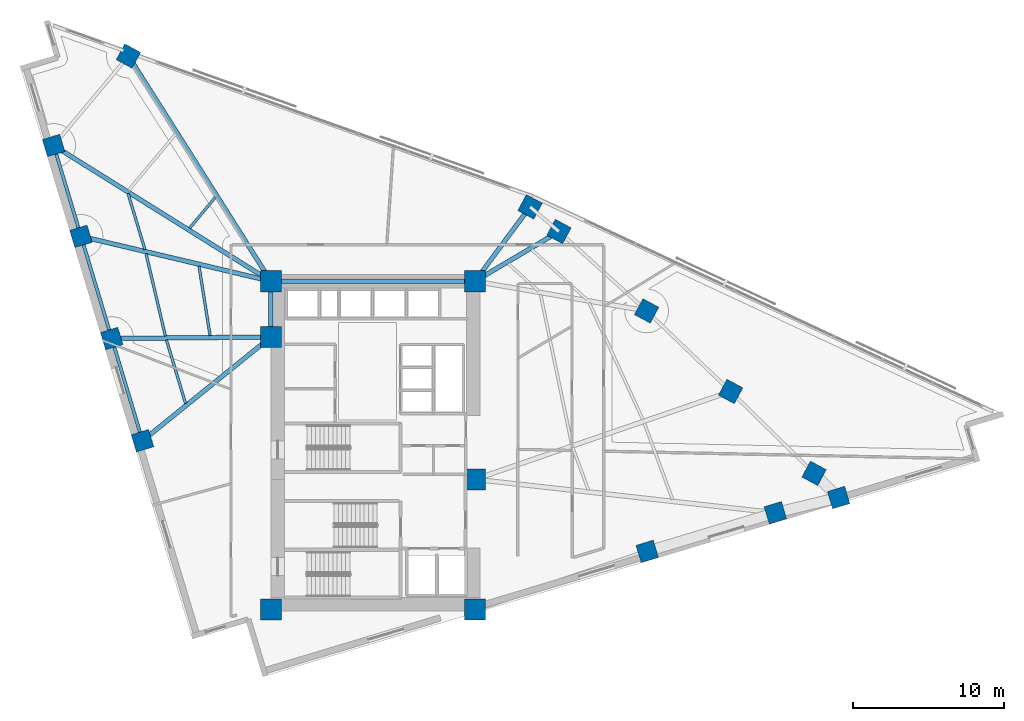
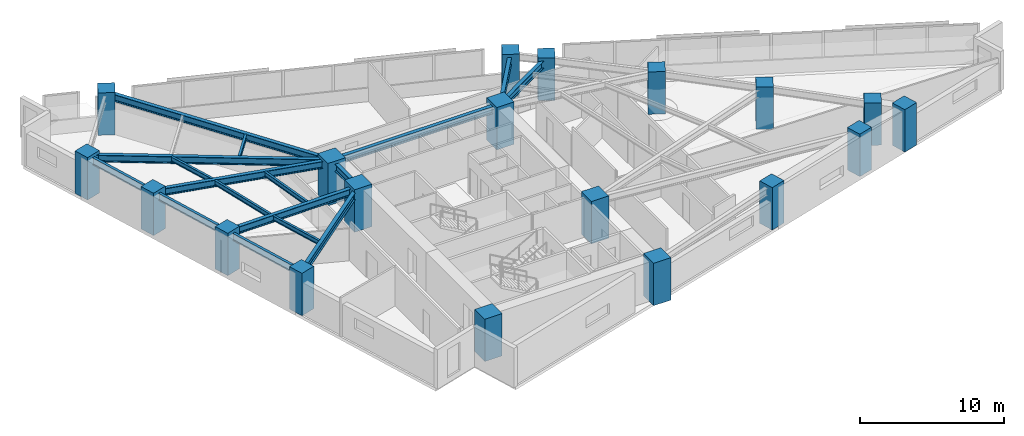
# One storey, part 1 of 16: 19 columns, 17 beams.
"""IFC4 building model written with IfcOpenShell, lengths in metres."""

import ifcopenshell
import ifcopenshell.guid

model = None  # the IFC model being written
_history = None  # IfcOwnerHistory: only IFC2X3 demands one
_inside = {}  # id of a spatial element -> (the spatial element, [elements in it])
_under = {}  # id of a project, library or spatial element -> (it, [spatial elements below it])
_declared = {}  # id of a project -> (the project, [libraries it declares])
_typed = {}  # id of a type object -> (the type object, [elements of that type])
_made_of = {}  # id of a material, layer set ... -> (it, [elements and type objects made of it])


def new_model(schema):
    """Start an empty IFC model of exactly this schema.

    Asked for "IFC4X3", IfcOpenShell would pick the latest addendum, in which some entities
    have other attributes; the version numbers below select the first issue.
    IFC2X3 requires an IfcOwnerHistory on every rooted entity: one is made here for all.
    """
    global model, _history
    if schema == "IFC4X3":
        model = ifcopenshell.file(schema_version=(4, 3, 0, 0))
    else:
        model = ifcopenshell.file(schema=schema)
    _inside.clear()
    _under.clear()
    _declared.clear()
    _typed.clear()
    _made_of.clear()
    _history = None
    if model.schema == "IFC2X3":
        org = make("IfcOrganization", Name="unknown")
        user = make(
            "IfcPersonAndOrganization",
            ThePerson=make("IfcPerson", FamilyName="unknown"),
            TheOrganization=org,
        )
        app = make(
            "IfcApplication",
            ApplicationDeveloper=org,
            Version="unknown",
            ApplicationFullName="unknown",
            ApplicationIdentifier="unknown",
        )
        _history = make(
            "IfcOwnerHistory",
            OwningUser=user,
            OwningApplication=app,
            ChangeAction="ADDED",
            CreationDate=0,
        )
    return model


def make(cls, **values):
    """One entity of the class cls with the attributes given. An attribute that is None is left unset."""
    return model.create_entity(
        cls, **{name: value for name, value in values.items() if value is not None}
    )


def rooted(cls, **values):
    """An entity with a GlobalId (a new one), such as an element, a storey or a relation."""
    return make(cls, GlobalId=ifcopenshell.guid.new(), OwnerHistory=_history, **values)


def si_unit(unit_type, name, prefix=None):
    """IfcSIUnit, for example si_unit("LENGTHUNIT", "METRE", prefix="MILLI")."""
    return make("IfcSIUnit", UnitType=unit_type, Prefix=prefix, Name=name)


def assignment(units):
    """IfcUnitAssignment: the units of a project."""
    return None if units is None else make("IfcUnitAssignment", Units=units)


def point(xyz):
    """IfcCartesianPoint."""
    return None if xyz is None else make("IfcCartesianPoint", Coordinates=xyz)


def direction(xyz):
    """IfcDirection."""
    return None if xyz is None else make("IfcDirection", DirectionRatios=xyz)


def frame(location, z_axis=None, x_axis=None):
    """IfcAxis2Placement3D, a coordinate frame: its origin and axes. An axis left out is left unset."""
    return make(
        "IfcAxis2Placement3D",
        Location=point(location),
        Axis=direction(z_axis),
        RefDirection=direction(x_axis),
    )


def frame_2d(location, x_axis=None):
    """IfcAxis2Placement2D, a coordinate frame in the plane: its origin and x axis."""
    return make(
        "IfcAxis2Placement2D", Location=point(location), RefDirection=direction(x_axis)
    )


def origin():
    """The frame at (0, 0, 0) with its axes left unset."""
    return frame((0.0, 0.0, 0.0))


def origin_2d():
    """The frame at (0, 0) in the plane with its x axis left unset."""
    return frame_2d((0.0, 0.0))


def place(relative_to, where):
    """IfcLocalPlacement: puts the frame where relative to a parent placement (None: the world)."""
    return make(
        "IfcLocalPlacement", PlacementRelTo=relative_to, RelativePlacement=where
    )


def context(
    kind, dimensions, precision=None, world=None, true_north=None, identifier=None
):
    """IfcGeometricRepresentationContext, for example the 3D "Model" context."""
    return make(
        "IfcGeometricRepresentationContext",
        ContextIdentifier=identifier,
        ContextType=kind,
        CoordinateSpaceDimension=dimensions,
        Precision=precision,
        WorldCoordinateSystem=world,
        TrueNorth=true_north,
    )


def subcontext(parent, identifier, kind, view, scale=None):
    """IfcGeometricRepresentationSubContext, for example "Body" below "Model"."""
    return make(
        "IfcGeometricRepresentationSubContext",
        ContextIdentifier=identifier,
        ContextType=kind,
        ParentContext=parent,
        TargetScale=scale,
        TargetView=view,
    )


def project(units=None, contexts=None):
    """IfcProject with its units and contexts."""
    return rooted(
        "IfcProject",
        Name="project",
        RepresentationContexts=contexts,
        UnitsInContext=assignment(units),
    )


def spatial(cls, under=None, at=None, **own):
    """A site, building, storey or space (cls), placed at a placement, below another one or the project."""
    s = rooted(cls, ObjectPlacement=at, **own)
    if under is not None:
        _under.setdefault(under.id(), (under, []))[1].append(s)
    return s


def profile(cls, at=None, kind="AREA", **sizes):
    """A parametric profile (cls). Its sizes go by their IFC names, for example OverallWidth=200.0."""
    return make(cls, ProfileType=kind, Position=at, **sizes)


def rectangle(**sizes):
    """IfcRectangleProfileDef."""
    return profile("IfcRectangleProfileDef", **sizes)


def i_section(**sizes):
    """IfcIShapeProfileDef."""
    return profile("IfcIShapeProfileDef", **sizes)


def extrude(swept, where, along, depth):
    """IfcExtrudedAreaSolid: the profile swept, set in the frame where, extruded along a direction by depth."""
    return make(
        "IfcExtrudedAreaSolid",
        SweptArea=swept,
        Position=where,
        ExtrudedDirection=direction(along),
        Depth=depth,
    )


def shape(context_of_items, identifier, shape_type, items):
    """IfcShapeRepresentation: the items that make up one representation, for example the "Body"."""
    return make(
        "IfcShapeRepresentation",
        ContextOfItems=context_of_items,
        RepresentationIdentifier=identifier,
        RepresentationType=shape_type,
        Items=items,
    )


def material(Name=None, Category=None):
    """IfcMaterial."""
    return make("IfcMaterial", Name=Name, Category=Category)


def material_profile(
    of_material, cross_section, Name=None, Category=None, Priority=None
):
    """IfcMaterialProfile: a cross section and its material."""
    return make(
        "IfcMaterialProfile",
        Name=Name,
        Material=of_material,
        Profile=cross_section,
        Priority=Priority,
        Category=Category,
    )


def profile_set(profiles, Name=None, composite=None):
    """IfcMaterialProfileSet."""
    return make(
        "IfcMaterialProfileSet",
        Name=Name,
        MaterialProfiles=profiles,
        CompositeProfile=composite,
    )


def made_of(thing, what):
    """Note that an element or type object is made of a material, layer set ...; save() writes the relation."""
    if what is not None:
        _made_of.setdefault(what.id(), (what, []))[1].append(thing)
    return thing


def type_object(cls, material=None, **own):
    """A type object (cls), such as IfcWallType, which elements share."""
    return made_of(rooted(cls, **own), material)


def element(
    cls,
    number,
    at=None,
    inside=None,
    cuts=None,
    type_object=None,
    material=None,
    context=None,
    identifier="Body",
    shape_type=None,
    held_by="IfcProductDefinitionShape",
    body=None,
    shapes=None,
    **own,
):
    """One element of the class cls, such as IfcWall. Its Tag is "e" and its number.

    at: its placement. inside: the storey or other place that contains it. cuts: it is an
    opening in that element (IfcRelVoidsElement). A single representation is given by context,
    identifier, shape_type and body (its items); several are given by shapes. held_by: the class
    of the entity that holds the representations. save() writes the other relations.
    """
    e = rooted(cls, Tag="e%d" % number, ObjectPlacement=at, **own)
    if body is not None:
        shapes = [shape(context, identifier, shape_type, body)]
    if shapes is not None:
        e.Representation = make(held_by, Representations=shapes)
    if inside is not None:
        _inside.setdefault(inside.id(), (inside, []))[1].append(e)
    if cuts is not None:
        rooted(
            "IfcRelVoidsElement", RelatingBuildingElement=cuts, RelatedOpeningElement=e
        )
    if type_object is not None:
        _typed.setdefault(type_object.id(), (type_object, []))[1].append(e)
    return made_of(e, material)


def aggregate(whole, parts):
    """IfcRelAggregates: a whole, such as a stair, and the parts it consists of."""
    return rooted("IfcRelAggregates", RelatingObject=whole, RelatedObjects=parts)


def save(model, path):
    """Write the relations noted so far, then the file.

    IfcRelAggregates (storeys below a building ...), IfcRelContainedInSpatialStructure (elements
    in a storey), IfcRelDefinesByType, IfcRelAssociatesMaterial and IfcRelDeclares: one each for
    every whole, place, type object, material and project.
    """
    for whole, parts in _under.values():
        aggregate(whole, parts)
    for where, things in _inside.values():
        rooted(
            "IfcRelContainedInSpatialStructure",
            RelatedElements=things,
            RelatingStructure=where,
        )
    for kind, things in _typed.values():
        rooted("IfcRelDefinesByType", RelatedObjects=things, RelatingType=kind)
    for what, things in _made_of.values():
        rooted("IfcRelAssociatesMaterial", RelatedObjects=things, RelatingMaterial=what)
    for by, libraries in _declared.values():
        rooted("IfcRelDeclares", RelatingContext=by, RelatedDefinitions=libraries)
    model.write(path)


model = new_model("IFC4")

# Units and contexts
model_context = context("Model", 3, precision=1e-05, world=origin(), true_north=direction((0.0, 1.0)))
body_context = subcontext(model_context, "Body", "Model", "MODEL_VIEW")
ifc_project = project(units=[si_unit("LENGTHUNIT", "METRE"), si_unit("AREAUNIT", "SQUARE_METRE"), si_unit("VOLUMEUNIT", "CUBIC_METRE"), si_unit("PLANEANGLEUNIT", "RADIAN"), si_unit("MASSUNIT", "GRAM", prefix="KILO")], contexts=[model_context])

# Site, building, storey
site_placement = place(None, origin())
site = spatial("IfcSite", under=ifc_project, at=site_placement, CompositionType="ELEMENT")
building_placement = place(site_placement, origin())
building = spatial("IfcBuilding", under=site, at=building_placement, Name="Narakoshi Arena Tower", CompositionType="ELEMENT")
storey_placement = place(building_placement, frame((0.0, 0.0, 153.89990234375)))
storey = spatial("IfcBuildingStorey", under=building, at=storey_placement, Name="L41", CompositionType="ELEMENT", Elevation=153.89990234375)

# Columns
ifc_material_1 = material(Name="Concrete C60/75", Category="concrete")
ifc_material_profile_1 = material_profile(ifc_material_1, rectangle(XDim=1.199951171875, YDim=1.199951171875, at=origin_2d()), Name="RC1200x1200")
ifc_profile_set_1 = profile_set([ifc_material_profile_1], Name="Concrete C60/75")
column_type_1 = type_object("IfcColumnType", Name="COL-RC1200", PredefinedType="COLUMN", material=ifc_profile_set_1)
for number, where, z_axis, x_axis, name in (
    (1, (96.984619140625, 38.565185546875, 0.0), (0.0, 0.0, 1.0), (0.957571360805, 0.288196268134, 0.0), "L41 Tower Perimeter Column TC02"),
    (2, (105.49365234375, 41.126220703125, 0.0), (0.0, 0.0, 1.0), (0.957571360805, 0.288196268134, 0.0), "L41 Tower Perimeter Column TC03"),
    (3, (109.692626953125, 42.13916015625, 0.0), (0.0, 0.0, 1.0), (0.957571360805, 0.288196268134, 0.0), "L41 Tower Perimeter Column TC04"),
    (4, (108.061279296875, 43.74560546875, 0.0), (0.0, 0.0, 1.0), (0.473319667185, 0.880890738205, 0.0), "L41 Tower Perimeter Column TC05"),
    (5, (102.522216796875, 49.17919921875, 0.0), (0.0, 0.0, 1.0), (0.473319667185, 0.880890738205, 0.0), "L41 Tower Perimeter Column TC06"),
    (6, (96.9443359375, 54.528076171875, 0.0), (0.0, 0.0, 1.0), (0.473319667185, 0.880890738205, 0.0), "L41 Tower Perimeter Column TC07"),
    (7, (91.12646484375, 59.798095703125, 0.0), (0.0, 0.0, 1.0), (0.473319667185, 0.880890738205, 0.0), "L41 Tower Perimeter Column TC08"),
    (8, (89.206787109375, 61.437744140625, 0.0), (0.0, 0.0, 1.0), (0.473319667185, 0.880890738205, 0.0), "L41 Tower Perimeter Column TC09"),
    (9, (62.545166015625, 71.4501953125, 0.0), (0.0, 0.0, 1.0), (0.473319667185, 0.880890738205, 0.0), "L41 Tower Perimeter Column TC11"),
    (10, (57.580810546875, 65.51220703125, 0.0), (0.0, 0.0, 1.0), (-0.288196268134, 0.957571360805, 0.0), "L41 Tower Perimeter Column TC13"),
    (11, (59.39599609375, 59.481201171875, 0.0), (0.0, 0.0, 1.0), (-0.288196268134, 0.957571360805, 0.0), "L41 Tower Perimeter Column TC14"),
    (12, (61.43798828125, 52.6962890625, 0.0), (0.0, 0.0, 1.0), (-0.288196268134, 0.957571360805, 0.0), "L41 Tower Perimeter Column TC15"),
    (13, (63.47998046875, 45.91162109375, 0.0), (0.0, 0.0, 1.0), (-0.288196268134, 0.957571360805, 0.0), "L41 Tower Perimeter Column TC16"),
):
    element("IfcColumn", number, at=place(storey_placement, frame(where, z_axis=z_axis, x_axis=x_axis)), inside=storey, type_object=column_type_1, Name=name, PredefinedType="COLUMN", context=body_context, shape_type="SweptSolid", body=[
        extrude(rectangle(XDim=1.199951171875, YDim=1.199951171875, at=origin_2d()), origin(), (0.0, 0.0, 1.0), 3.60009765625),
    ])
ifc_material_profile_2 = material_profile(ifc_material_1, rectangle(XDim=1.39990234375, YDim=1.39990234375, at=origin_2d()), Name="RC1400x1400")
ifc_profile_set_2 = profile_set([ifc_material_profile_2], Name="Concrete C60/75")
column_type_2 = type_object("IfcColumnType", Name="COL-RC1400", PredefinedType="COLUMN", material=ifc_profile_set_2)
for number, where, z_axis, x_axis, name in (
    (14, (72.0, 34.699951171875, 0.0), (0.0, 0.0, 1.0), (1.0, 0.0, 0.0), "L41 Core Structural Column CC1"),
    (15, (85.550048828125, 34.699951171875, 0.0), (0.0, 0.0, 1.0), (1.0, 0.0, 0.0), "L41 Core Structural Column CC2"),
    (16, (85.550048828125, 43.35009765625, 0.0), (0.0, 0.0, 1.0), (1.0, 0.0, 0.0), "L41 Core Structural Column CC3"),
    (17, (72.0, 52.800048828125, 0.0), (0.0, 0.0, 1.0), (1.0, 0.0, 0.0), "L41 Core Structural Column CC4"),
    (18, (72.0, 56.5, 0.0), (0.0, 0.0, 1.0), (1.0, 0.0, 0.0), "L41 Core Structural Column CC5"),
    (19, (85.550048828125, 56.5, 0.0), (0.0, 0.0, 1.0), (1.0, 0.0, 0.0), "L41 Core Structural Column CC6"),
):
    element("IfcColumn", number, at=place(storey_placement, frame(where, z_axis=z_axis, x_axis=x_axis)), inside=storey, type_object=column_type_2, Name=name, PredefinedType="COLUMN", context=body_context, shape_type="SweptSolid", body=[
        extrude(rectangle(XDim=1.39990234375, YDim=1.39990234375, at=origin_2d()), origin(), (0.0, 0.0, 1.0), 3.60009765625),
    ])

# Beams
ifc_material_2 = material(Name="Structural steel S355J2", Category="steel")
ifc_material_profile_3 = material_profile(ifc_material_2, i_section(OverallWidth=0.219970703125, OverallDepth=0.60009765625, WebThickness=0.011962890625, FlangeThickness=0.01904296875, FilletRadius=0.02392578125, at=origin_2d()), Name="IPE600")
ifc_profile_set_3 = profile_set([ifc_material_profile_3], Name="Structural steel S355J2")
beam_type_1 = type_object("IfcBeamType", Name="BM-EDGE-600", PredefinedType="BEAM", material=ifc_profile_set_3)
beam_1_placement = place(storey_placement, frame((57.580810546875, 65.51220703125, 3.0400390625), z_axis=(0.288204829742, -0.957568784011, 0.0), x_axis=(0.957568784011, 0.288204829742, 0.0)))
element("IfcBeam", 20, at=beam_1_placement, inside=storey, type_object=beam_type_1, Name="L41 Perimeter Edge Girder 10", PredefinedType="BEAM", context=body_context, shape_type="SweptSolid", body=[
    extrude(i_section(OverallWidth=0.219970703125, OverallDepth=0.60009765625, WebThickness=0.011962890625, FlangeThickness=0.01904296875, FilletRadius=0.02392578125, at=origin_2d()), origin(), (0.0, 0.0, 1.0), 6.29833984375),
])
beam_2_placement = place(storey_placement, frame((59.39599609375, 59.481201171875, 3.0400390625), z_axis=(0.28819179325, -0.957572707581, 0.0), x_axis=(0.957572707581, 0.28819179325, 0.0)))
element("IfcBeam", 21, at=beam_2_placement, inside=storey, type_object=beam_type_1, Name="L41 Perimeter Edge Girder 11", PredefinedType="BEAM", context=body_context, shape_type="SweptSolid", body=[
    extrude(i_section(OverallWidth=0.219970703125, OverallDepth=0.60009765625, WebThickness=0.011962890625, FlangeThickness=0.01904296875, FilletRadius=0.02392578125, at=origin_2d()), origin(), (0.0, 0.0, 1.0), 7.08544921875),
])
beam_3_placement = place(storey_placement, frame((61.43798828125, 52.6962890625, 3.0400390625), z_axis=(0.288201302245, -0.957569845695, 0.0), x_axis=(0.957569845695, 0.288201302245, 0.0)))
element("IfcBeam", 22, at=beam_3_placement, inside=storey, type_object=beam_type_1, Name="L41 Perimeter Edge Girder 12", PredefinedType="BEAM", context=body_context, shape_type="SweptSolid", body=[
    extrude(i_section(OverallWidth=0.219970703125, OverallDepth=0.60009765625, WebThickness=0.011962890625, FlangeThickness=0.01904296875, FilletRadius=0.02392578125, at=origin_2d()), origin(), (0.0, 0.0, 1.0), 7.085205078125),
])
ifc_material_profile_4 = material_profile(ifc_material_2, i_section(OverallWidth=0.300048828125, OverallDepth=0.60009765625, WebThickness=0.015380859375, FlangeThickness=0.030029296875, FilletRadius=0.027099609375, at=origin_2d()), Name="HE600B")
ifc_profile_set_4 = profile_set([ifc_material_profile_4], Name="Structural steel S355J2")
beam_type_2 = type_object("IfcBeamType", Name="BM-PRI-600", PredefinedType="BEAM", material=ifc_profile_set_4)
beam_4_placement = place(storey_placement, frame((85.550048828125, 56.5, 3.0400390625), z_axis=(0.860727657757, 0.509065712037, 0.0), x_axis=(-0.509065712037, 0.860727657757, 0.0)))
element("IfcBeam", 23, at=beam_4_placement, inside=storey, type_object=beam_type_2, Name="L41 Radial Primary Floor Girder 07", PredefinedType="BEAM", context=body_context, shape_type="SweptSolid", body=[
    extrude(i_section(OverallWidth=0.300048828125, OverallDepth=0.60009765625, WebThickness=0.015380859375, FlangeThickness=0.030029296875, FilletRadius=0.027099609375, at=origin_2d()), origin(), (0.0, 0.0, 1.0), 6.478759765625),
])
beam_5_placement = place(storey_placement, frame((85.550048828125, 56.5, 3.0400390625), z_axis=(0.595138224279, 0.803623353321, 0.0), x_axis=(-0.803623353321, 0.595138224279, 0.0)))
element("IfcBeam", 24, at=beam_5_placement, inside=storey, type_object=beam_type_2, Name="L41 Radial Primary Floor Girder 08", PredefinedType="BEAM", context=body_context, shape_type="SweptSolid", body=[
    extrude(i_section(OverallWidth=0.300048828125, OverallDepth=0.60009765625, WebThickness=0.015380859375, FlangeThickness=0.030029296875, FilletRadius=0.027099609375, at=origin_2d()), origin(), (0.0, 0.0, 1.0), 6.144287109375),
])
beam_6_placement = place(storey_placement, frame((72.0, 56.5, 3.0400390625), z_axis=(-0.534502303868, 0.845167017317, 0.0), x_axis=(-0.845167017317, -0.534502303868, 0.0)))
element("IfcBeam", 25, at=beam_6_placement, inside=storey, type_object=beam_type_2, Name="L41 Radial Primary Floor Girder 09", PredefinedType="BEAM", context=body_context, shape_type="SweptSolid", body=[
    extrude(i_section(OverallWidth=0.300048828125, OverallDepth=0.60009765625, WebThickness=0.015380859375, FlangeThickness=0.030029296875, FilletRadius=0.027099609375, at=origin_2d()), origin(), (0.0, 0.0, 1.0), 17.68896484375),
])
beam_7_placement = place(storey_placement, frame((72.0, 56.5, 3.0400390625), z_axis=(-0.847992657587, 0.530007974165, 0.0), x_axis=(-0.530007974165, -0.847992657587, 0.0)))
element("IfcBeam", 26, at=beam_7_placement, inside=storey, type_object=beam_type_2, Name="L41 Radial Primary Floor Girder 10", PredefinedType="BEAM", context=body_context, shape_type="SweptSolid", body=[
    extrude(i_section(OverallWidth=0.300048828125, OverallDepth=0.60009765625, WebThickness=0.015380859375, FlangeThickness=0.030029296875, FilletRadius=0.027099609375, at=origin_2d()), origin(), (0.0, 0.0, 1.0), 17.00390625),
])
beam_8_placement = place(storey_placement, frame((72.0, 56.5, 3.0400390625), z_axis=(-0.973148771856, 0.230177035857, 0.0), x_axis=(-0.230177035857, -0.973148771856, 0.0)))
element("IfcBeam", 27, at=beam_8_placement, inside=storey, type_object=beam_type_2, Name="L41 Radial Primary Floor Girder 11", PredefinedType="BEAM", context=body_context, shape_type="SweptSolid", body=[
    extrude(i_section(OverallWidth=0.300048828125, OverallDepth=0.60009765625, WebThickness=0.015380859375, FlangeThickness=0.030029296875, FilletRadius=0.027099609375, at=origin_2d()), origin(), (0.0, 0.0, 1.0), 12.95166015625),
])
beam_9_placement = place(storey_placement, frame((72.0, 52.800048828125, 3.0400390625), z_axis=(-0.999951749341, -0.009823389891, 0.0), x_axis=(0.009823389891, -0.999951749341, 0.0)))
element("IfcBeam", 28, at=beam_9_placement, inside=storey, type_object=beam_type_2, Name="L41 Radial Primary Floor Girder 12", PredefinedType="BEAM", context=body_context, shape_type="SweptSolid", body=[
    extrude(i_section(OverallWidth=0.300048828125, OverallDepth=0.60009765625, WebThickness=0.015380859375, FlangeThickness=0.030029296875, FilletRadius=0.027099609375, at=origin_2d()), origin(), (0.0, 0.0, 1.0), 10.5625),
])
beam_10_placement = place(storey_placement, frame((72.0, 52.800048828125, 3.0400390625), z_axis=(-0.777634431076, -0.628716702184, 0.0), x_axis=(0.628716702184, -0.777634431076, 0.0)))
element("IfcBeam", 29, at=beam_10_placement, inside=storey, type_object=beam_type_2, Name="L41 Radial Primary Floor Girder 13", PredefinedType="BEAM", context=body_context, shape_type="SweptSolid", body=[
    extrude(i_section(OverallWidth=0.300048828125, OverallDepth=0.60009765625, WebThickness=0.015380859375, FlangeThickness=0.030029296875, FilletRadius=0.027099609375, at=origin_2d()), origin(), (0.0, 0.0, 1.0), 10.956298828125),
])
beam_11_placement = place(storey_placement, frame((72.0, 52.800048828125, 3.0400390625), z_axis=(0.0, 1.0, 0.0), x_axis=(-1.0, 0.0, 0.0)))
element("IfcBeam", 30, at=beam_11_placement, inside=storey, type_object=beam_type_2, Name="L41 Core Perimeter Frame Beam CC4-CC5", PredefinedType="BEAM", context=body_context, shape_type="SweptSolid", body=[
    extrude(i_section(OverallWidth=0.300048828125, OverallDepth=0.60009765625, WebThickness=0.015380859375, FlangeThickness=0.030029296875, FilletRadius=0.027099609375, at=origin_2d()), origin(), (0.0, 0.0, 1.0), 3.699951171875),
])
beam_12_placement = place(storey_placement, frame((72.0, 56.5, 3.0400390625), z_axis=(1.0, 0.0, 0.0), x_axis=(0.0, 1.0, 0.0)))
element("IfcBeam", 31, at=beam_12_placement, inside=storey, type_object=beam_type_2, Name="L41 Core Perimeter Frame Beam CC5-CC6", PredefinedType="BEAM", context=body_context, shape_type="SweptSolid", body=[
    extrude(i_section(OverallWidth=0.300048828125, OverallDepth=0.60009765625, WebThickness=0.015380859375, FlangeThickness=0.030029296875, FilletRadius=0.027099609375, at=origin_2d()), origin(), (0.0, 0.0, 1.0), 13.550048828125),
])
ifc_material_profile_5 = material_profile(ifc_material_2, i_section(OverallWidth=0.179931640625, OverallDepth=0.39990234375, WebThickness=0.008544921875, FlangeThickness=0.013427734375, FilletRadius=0.02099609375, at=origin_2d()), Name="IPE400")
ifc_profile_set_5 = profile_set([ifc_material_profile_5], Name="Structural steel S355J2")
beam_type_3 = type_object("IfcBeamType", Name="BM-SEC-400", PredefinedType="JOIST", material=ifc_profile_set_5)
beam_13_placement = place(storey_placement, frame((68.320556640625, 62.077392578125, 3.14013671875), z_axis=(-0.64141534739, -0.767193816537, 0.0), x_axis=(0.767193816537, -0.64141534739, 0.0)))
element("IfcBeam", 32, at=beam_13_placement, inside=storey, type_object=beam_type_3, Name="L41 Composite Secondary Floor Joist 07", PredefinedType="JOIST", context=body_context, shape_type="SweptSolid", body=[
    extrude(i_section(OverallWidth=0.179931640625, OverallDepth=0.39990234375, WebThickness=0.008544921875, FlangeThickness=0.013427734375, FilletRadius=0.02099609375, at=origin_2d()), origin(), (0.0, 0.0, 1.0), 2.6708984375),
])
beam_14_placement = place(storey_placement, frame((62.522216796875, 62.318603515625, 3.14013671875), z_axis=(0.288258285881, -0.957552693391, 0.0), x_axis=(0.957552693391, 0.288258285881, 0.0)))
element("IfcBeam", 33, at=beam_14_placement, inside=storey, type_object=beam_type_3, Name="L41 Composite Secondary Floor Joist 09", PredefinedType="JOIST", context=body_context, shape_type="SweptSolid", body=[
    extrude(i_section(OverallWidth=0.179931640625, OverallDepth=0.39990234375, WebThickness=0.008544921875, FlangeThickness=0.013427734375, FilletRadius=0.02099609375, at=origin_2d()), origin(), (0.0, 0.0, 1.0), 3.88671875),
])
beam_15_placement = place(storey_placement, frame((67.231689453125, 57.49951171875, 3.14013671875), z_axis=(0.157263582495, -0.987556664511, 0.0), x_axis=(0.987556664511, 0.157263582495, 0.0)))
element("IfcBeam", 34, at=beam_15_placement, inside=storey, type_object=beam_type_3, Name="L41 Composite Secondary Floor Joist 10", PredefinedType="JOIST", context=body_context, shape_type="SweptSolid", body=[
    extrude(i_section(OverallWidth=0.179931640625, OverallDepth=0.39990234375, WebThickness=0.008544921875, FlangeThickness=0.013427734375, FilletRadius=0.02099609375, at=origin_2d()), origin(), (0.0, 0.0, 1.0), 4.66357421875),
])
beam_16_placement = place(storey_placement, frame((63.712158203125, 58.336181640625, 3.14013671875), z_axis=(0.228758561982, -0.973483189542, 0.0), x_axis=(0.973483189542, 0.228758561982, 0.0)))
element("IfcBeam", 35, at=beam_16_placement, inside=storey, type_object=beam_type_3, Name="L41 Composite Secondary Floor Joist 11", PredefinedType="JOIST", context=body_context, shape_type="SweptSolid", body=[
    extrude(i_section(OverallWidth=0.179931640625, OverallDepth=0.39990234375, WebThickness=0.008544921875, FlangeThickness=0.013427734375, FilletRadius=0.02099609375, at=origin_2d()), origin(), (0.0, 0.0, 1.0), 5.622314453125),
])
beam_17_placement = place(storey_placement, frame((65.068115234375, 52.602294921875, 3.14013671875), z_axis=(0.288166161621, -0.957580421321, 0.0), x_axis=(0.957580421321, 0.288166161621, 0.0)))
element("IfcBeam", 36, at=beam_17_placement, inside=storey, type_object=beam_type_3, Name="L41 Composite Secondary Floor Joist 12", PredefinedType="JOIST", context=body_context, shape_type="SweptSolid", body=[
    extrude(i_section(OverallWidth=0.179931640625, OverallDepth=0.39990234375, WebThickness=0.008544921875, FlangeThickness=0.013427734375, FilletRadius=0.02099609375, at=origin_2d()), origin(), (0.0, 0.0, 1.0), 4.406494140625),
])

save(model, "model.ifc")
